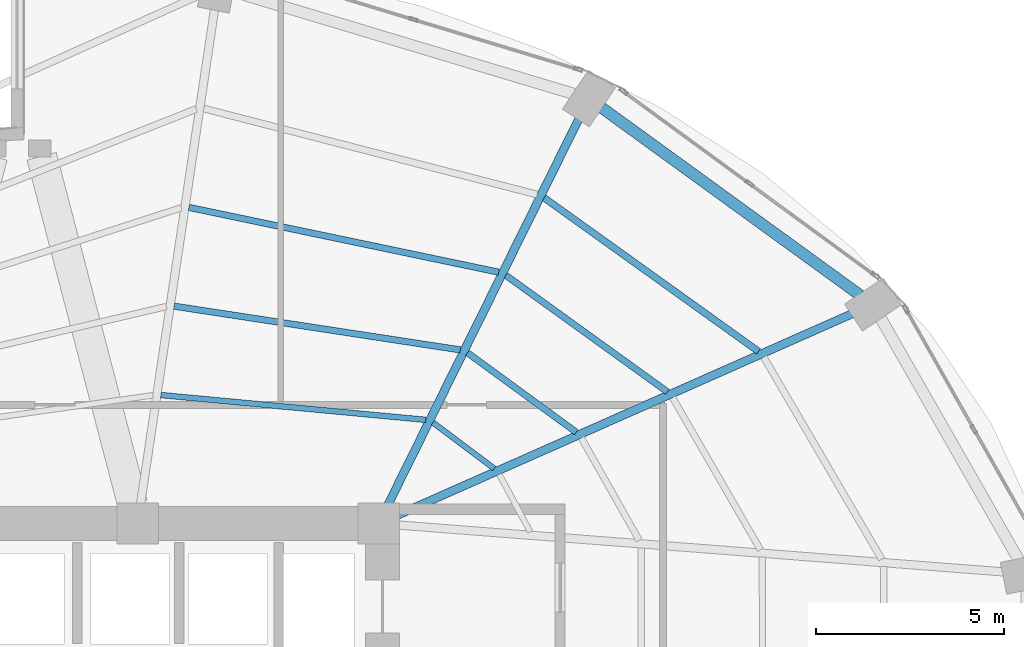
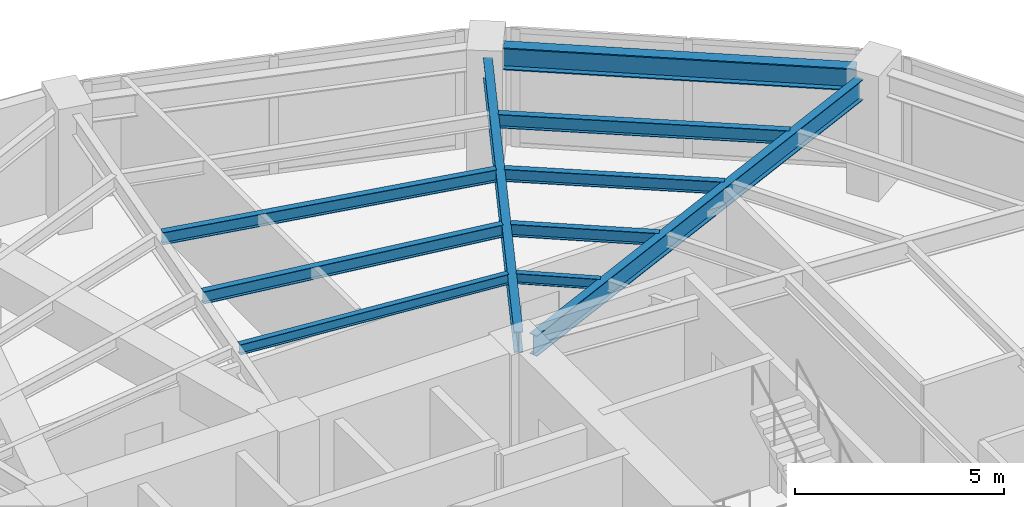
# One storey, part 16 of 24: 10 beams.
"""IFC4 building model written with IfcOpenShell, lengths in metres."""

from ifc_helpers import new_model, si_unit, direction, frame, origin, origin_2d, place, context, subcontext, project, spatial, i_section, extrude, material, material_profile, profile_set, type_object, element, save


model = new_model("IFC4")

# Units and contexts
model_context = context("Model", 3, precision=1e-05, world=origin(), true_north=direction((0.0, 1.0)))
body_context = subcontext(model_context, "Body", "Model", "MODEL_VIEW")
ifc_project = project(units=[si_unit("LENGTHUNIT", "METRE"), si_unit("AREAUNIT", "SQUARE_METRE"), si_unit("VOLUMEUNIT", "CUBIC_METRE"), si_unit("PLANEANGLEUNIT", "RADIAN"), si_unit("MASSUNIT", "GRAM", prefix="KILO")], contexts=[model_context])

# Site, building, storey
site_placement = place(None, origin())
site = spatial("IfcSite", under=ifc_project, at=site_placement, CompositionType="ELEMENT")
building_placement = place(site_placement, origin())
building = spatial("IfcBuilding", under=site, at=building_placement, Name="Lazwardi Medical Tower", CompositionType="ELEMENT")
storey_placement = place(building_placement, frame((0.0, 0.0, 36.14404296875)))
storey = spatial("IfcBuildingStorey", under=building, at=storey_placement, Name="L08", CompositionType="ELEMENT", Elevation=36.14404296875)

# Beams
ifc_material = material(Name="Steel S355", Category="steel")
ifc_material_profile_1 = material_profile(ifc_material, i_section(OverallWidth=0.300048828125, OverallDepth=0.64990234375, WebThickness=0.01611328125, FlangeThickness=0.031005859375, at=origin_2d()), Name="HEB 650")
ifc_profile_set_1 = profile_set([ifc_material_profile_1], Name="Steel S355")
beam_type_1 = type_object("IfcBeamType", Name="BM-RB-Z1", PredefinedType="BEAM", material=ifc_profile_set_1)
beam_1_placement = place(storey_placement, frame((58.3798828125, 41.660888671875, 3.10302734375), z_axis=(-0.809407079515, 0.587247971159, 0.0), x_axis=(-0.587247971159, -0.809407079515, 0.0)))
element("IfcBeam", 1, at=beam_1_placement, inside=storey, type_object=beam_type_1, Name="Ring beam RB-02 B06 L08", PredefinedType="BEAM", context=body_context, shape_type="SweptSolid", body=[
    extrude(i_section(OverallWidth=0.300048828125, OverallDepth=0.64990234375, WebThickness=0.01611328125, FlangeThickness=0.031005859375, at=origin_2d()), origin(), (0.0, 0.0, 1.0), 8.473876953125),
])
ifc_material_profile_2 = material_profile(ifc_material, i_section(OverallWidth=0.219970703125, OverallDepth=0.60009765625, WebThickness=0.011962890625, FlangeThickness=0.01904296875, at=origin_2d()), Name="IPE 600")
ifc_profile_set_2 = profile_set([ifc_material_profile_2], Name="Steel S355")
beam_type_2 = type_object("IfcBeamType", Name="BM-RG-W1", PredefinedType="BEAM", material=ifc_profile_set_2)
beam_2_placement = place(storey_placement, frame((58.189697265625, 41.17919921875, 3.1279296875), z_axis=(-0.914252189566, -0.405145571214, 0.0), x_axis=(0.405145571214, -0.914252189566, 0.0)))
element("IfcBeam", 2, at=beam_2_placement, inside=storey, type_object=beam_type_2, Name="Radial girder RG-02 R06 L08", PredefinedType="BEAM", context=body_context, shape_type="SweptSolid", body=[
    extrude(i_section(OverallWidth=0.219970703125, OverallDepth=0.60009765625, WebThickness=0.011962890625, FlangeThickness=0.01904296875, at=origin_2d()), origin(), (0.0, 0.0, 1.0), 13.235595703125),
])
beam_3_placement = place(storey_placement, frame((50.923828125, 46.364013671875, 3.1279296875), z_axis=(-0.443336723706, -0.896355146922, 0.0), x_axis=(0.896355146922, -0.443336723706, 0.0)))
element("IfcBeam", 3, at=beam_3_placement, inside=storey, type_object=beam_type_2, Name="Radial girder RG-02 R07 L08", PredefinedType="BEAM", context=body_context, shape_type="SweptSolid", body=[
    extrude(i_section(OverallWidth=0.219970703125, OverallDepth=0.60009765625, WebThickness=0.011962890625, FlangeThickness=0.01904296875, at=origin_2d()), origin(), (0.0, 0.0, 1.0), 11.4736328125),
])
ifc_material_profile_3 = material_profile(ifc_material, i_section(OverallWidth=0.179931640625, OverallDepth=0.39990234375, WebThickness=0.008544921875, FlangeThickness=0.013427734375, at=origin_2d()), Name="IPE 400")
ifc_profile_set_3 = profile_set([ifc_material_profile_3], Name="Steel S355")
beam_type_3 = type_object("IfcBeamType", Name="BM-SJ-01", PredefinedType="JOIST", material=ifc_profile_set_3)
beam_4_placement = place(storey_placement, frame((55.68408203125, 40.16796875, 3.22802734375), z_axis=(-0.812901036873, 0.582401840872, 0.0), x_axis=(-0.582401840872, -0.812901036873, 0.0)))
element("IfcBeam", 4, at=beam_4_placement, inside=storey, type_object=beam_type_3, Name="Secondary joist SJ-01 R1 B06 L08", PredefinedType="JOIST", context=body_context, shape_type="SweptSolid", body=[
    extrude(i_section(OverallWidth=0.179931640625, OverallDepth=0.39990234375, WebThickness=0.008544921875, FlangeThickness=0.013427734375, at=origin_2d()), origin(), (0.0, 0.0, 1.0), 7.002197265625),
])
ifc_material_profile_4 = material_profile(ifc_material, i_section(OverallWidth=0.169921875, OverallDepth=0.360107421875, WebThickness=0.008056640625, FlangeThickness=0.0126953125, at=origin_2d()), Name="IPE 360")
ifc_profile_set_4 = profile_set([ifc_material_profile_4], Name="Steel S355")
beam_type_4 = type_object("IfcBeamType", Name="BM-SJ-02", PredefinedType="JOIST", material=ifc_profile_set_4)
beam_5_placement = place(storey_placement, frame((53.26416015625, 39.095703125, 3.248046875), z_axis=(-0.811142764961, 0.584848198127, 0.0), x_axis=(-0.584848198127, -0.811142764961, 0.0)))
element("IfcBeam", 5, at=beam_5_placement, inside=storey, type_object=beam_type_4, Name="Secondary joist SJ-02 R2 B06 L08", PredefinedType="JOIST", context=body_context, shape_type="SweptSolid", body=[
    extrude(i_section(OverallWidth=0.169921875, OverallDepth=0.360107421875, WebThickness=0.008056640625, FlangeThickness=0.0126953125, at=origin_2d()), origin(), (0.0, 0.0, 1.0), 5.28857421875),
])
beam_6_placement = place(storey_placement, frame((48.786376953125, 42.271728515625, 3.248046875), z_axis=(-0.978809182847, 0.204774470026, 0.0), x_axis=(-0.204774470026, -0.978809182847, 0.0)))
element("IfcBeam", 6, at=beam_6_placement, inside=storey, type_object=beam_type_4, Name="Secondary joist SJ-02 R2 B07 L08", PredefinedType="JOIST", context=body_context, shape_type="SweptSolid", body=[
    extrude(i_section(OverallWidth=0.169921875, OverallDepth=0.360107421875, WebThickness=0.008056640625, FlangeThickness=0.0126953125, at=origin_2d()), origin(), (0.0, 0.0, 1.0), 8.40283203125),
])
beam_7_placement = place(storey_placement, frame((50.844482421875, 38.023681640625, 3.248046875), z_axis=(-0.80770129933, 0.589591902132, 0.0), x_axis=(-0.589591902132, -0.80770129933, 0.0)))
element("IfcBeam", 7, at=beam_7_placement, inside=storey, type_object=beam_type_4, Name="Secondary joist SJ-02 R3 B06 L08", PredefinedType="JOIST", context=body_context, shape_type="SweptSolid", body=[
    extrude(i_section(OverallWidth=0.169921875, OverallDepth=0.360107421875, WebThickness=0.008056640625, FlangeThickness=0.0126953125, at=origin_2d()), origin(), (0.0, 0.0, 1.0), 3.5751953125),
])
beam_8_placement = place(storey_placement, frame((47.76806640625, 40.209228515625, 3.248046875), z_axis=(-0.988535611365, 0.150987897074, 0.0), x_axis=(-0.150987897074, -0.988535611365, 0.0)))
element("IfcBeam", 8, at=beam_8_placement, inside=storey, type_object=beam_type_4, Name="Secondary joist SJ-02 R3 B07 L08", PredefinedType="JOIST", context=body_context, shape_type="SweptSolid", body=[
    extrude(i_section(OverallWidth=0.169921875, OverallDepth=0.360107421875, WebThickness=0.008056640625, FlangeThickness=0.0126953125, at=origin_2d()), origin(), (0.0, 0.0, 1.0), 7.68701171875),
])
ifc_material_profile_5 = material_profile(ifc_material, i_section(OverallWidth=0.14990234375, OverallDepth=0.300048828125, WebThickness=0.007080078125, FlangeThickness=0.0107421875, at=origin_2d()), Name="IPE 300")
ifc_profile_set_5 = profile_set([ifc_material_profile_5], Name="Steel S355")
beam_type_5 = type_object("IfcBeamType", Name="BM-SJ-03", PredefinedType="JOIST", material=ifc_profile_set_5)
beam_9_placement = place(storey_placement, frame((48.667236328125, 37.0595703125, 3.278076171875), z_axis=(-0.800115247939, 0.599846305328, 0.0), x_axis=(-0.599846305328, -0.800115247939, 0.0)))
element("IfcBeam", 9, at=beam_9_placement, inside=storey, type_object=beam_type_5, Name="Secondary joist SJ-03 R4 B06 L08", PredefinedType="JOIST", context=body_context, shape_type="SweptSolid", body=[
    extrude(i_section(OverallWidth=0.14990234375, OverallDepth=0.300048828125, WebThickness=0.007080078125, FlangeThickness=0.0107421875, at=origin_2d()), origin(), (0.0, 0.0, 1.0), 2.033447265625),
])
beam_10_placement = place(storey_placement, frame((46.851806640625, 38.35205078125, 3.278076171875), z_axis=(-0.995649263748, 0.093180167407, 0.0), x_axis=(-0.093180167407, -0.995649263748, 0.0)))
element("IfcBeam", 10, at=beam_10_placement, inside=storey, type_object=beam_type_5, Name="Secondary joist SJ-03 R4 B07 L08", PredefinedType="JOIST", context=body_context, shape_type="SweptSolid", body=[
    extrude(i_section(OverallWidth=0.14990234375, OverallDepth=0.300048828125, WebThickness=0.007080078125, FlangeThickness=0.0107421875, at=origin_2d()), origin(), (0.0, 0.0, 1.0), 7.06640625),
])

save(model, "model.ifc")
